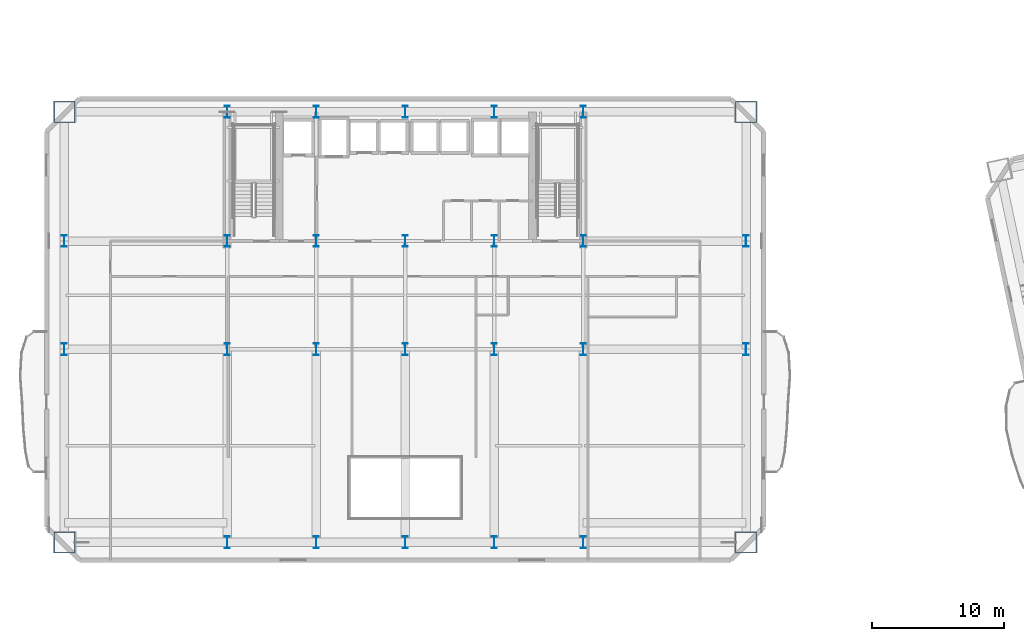
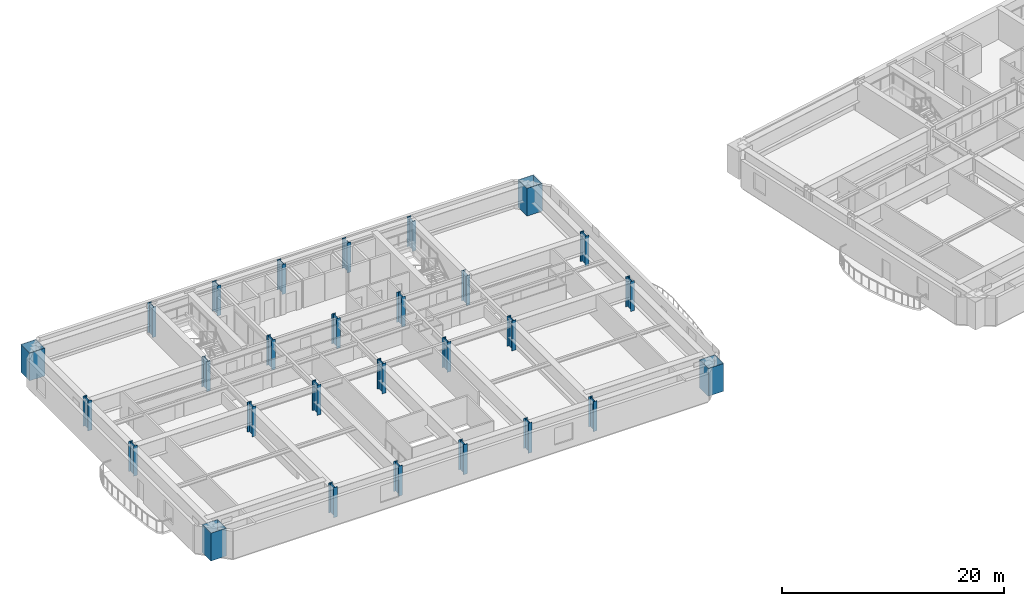
# One storey, part 1 of 18: 28 columns.
"""IFC4 building model written with IfcOpenShell, lengths in metres."""

from ifc_helpers import new_model, si_unit, direction, frame, origin, origin_2d, place, context, subcontext, project, spatial, hollow_rectangle, i_section, extrude, material, material_profile, profile_set, type_object, element, save


model = new_model("IFC4")

# Units and contexts
model_context = context("Model", 3, precision=1e-05, world=origin(), true_north=direction((0.0, 1.0)))
body_context = subcontext(model_context, "Body", "Model", "MODEL_VIEW")
ifc_project = project(units=[si_unit("LENGTHUNIT", "METRE"), si_unit("AREAUNIT", "SQUARE_METRE"), si_unit("VOLUMEUNIT", "CUBIC_METRE"), si_unit("PLANEANGLEUNIT", "RADIAN"), si_unit("MASSUNIT", "GRAM", prefix="KILO")], contexts=[model_context])

# Site, building, storey
site_placement = place(None, origin())
site = spatial("IfcSite", under=ifc_project, at=site_placement, CompositionType="ELEMENT")
building_placement = place(site_placement, origin())
building = spatial("IfcBuilding", under=site, at=building_placement, Name="Haevon Station Towers", CompositionType="ELEMENT")
storey_placement = place(building_placement, frame((0.0, 0.0, 47.10009765625)))
storey = spatial("IfcBuildingStorey", under=building, at=storey_placement, Name="L11", CompositionType="ELEMENT", Elevation=47.10009765625)

# Columns
ifc_material = material(Name="Steel S460", Category="steel")
ifc_material_profile_1 = material_profile(ifc_material, hollow_rectangle(XDim=1.60009765625, YDim=1.60009765625, WallThickness=0.0400390625, at=origin_2d()), Name="BOX-1600x1600x40")
ifc_profile_set_1 = profile_set([ifc_material_profile_1], Name="Steel S460")
column_type_1 = type_object("IfcColumnType", Name="COL-MC1", PredefinedType="COLUMN", material=ifc_profile_set_1)
for number, where, z_axis, x_axis, name in (
    (1, (11.64990234375, 15.35009765625, 0.0), (0.0, 0.0, 1.0), (1.0, 0.0, 0.0), "COL-T1-L11-01-01"),
    (2, (11.64990234375, 48.0, 0.0), (0.0, 0.0, 1.0), (1.0, 0.0, 0.0), "COL-T1-L11-01-04"),
    (3, (63.35009765625, 15.35009765625, 0.0), (0.0, 0.0, 1.0), (1.0, 0.0, 0.0), "COL-T1-L11-07-01"),
    (4, (63.35009765625, 48.0, 0.0), (0.0, 0.0, 1.0), (1.0, 0.0, 0.0), "COL-T1-L11-07-04"),
):
    element("IfcColumn", number, at=place(storey_placement, frame(where, z_axis=z_axis, x_axis=x_axis)), inside=storey, type_object=column_type_1, Name=name, PredefinedType="COLUMN", context=body_context, shape_type="SweptSolid", body=[
        extrude(hollow_rectangle(XDim=1.60009765625, YDim=1.60009765625, WallThickness=0.0400390625, at=origin_2d()), origin(), (0.0, 0.0, 1.0), 3.0498046875),
    ])
ifc_material_profile_2 = material_profile(ifc_material, i_section(OverallWidth=0.39990234375, OverallDepth=0.89990234375, WebThickness=0.02001953125, FlangeThickness=0.035888671875, at=origin_2d()), Name="H-900x400x20x36")
ifc_profile_set_2 = profile_set([ifc_material_profile_2], Name="Steel S460")
column_type_2 = type_object("IfcColumnType", Name="COL-TW1", PredefinedType="COLUMN", material=ifc_profile_set_2)
for number, where, z_axis, x_axis, name in (
    (5, (11.64990234375, 30.0, 0.0), (0.0, 0.0, 1.0), (1.0, 0.0, 0.0), "COL-T1-L11-01-02"),
    (6, (11.64990234375, 38.199951171875, 0.0), (0.0, 0.0, 1.0), (1.0, 0.0, 0.0), "COL-T1-L11-01-03"),
    (7, (24.0, 15.35009765625, 0.0), (0.0, 0.0, 1.0), (1.0, 0.0, 0.0), "COL-T1-L11-02-01"),
    (8, (24.0, 30.0, 0.0), (0.0, 0.0, 1.0), (1.0, 0.0, 0.0), "COL-T1-L11-02-02"),
    (9, (24.0, 38.199951171875, 0.0), (0.0, 0.0, 1.0), (1.0, 0.0, 0.0), "COL-T1-L11-02-03"),
    (10, (24.0, 48.0, 0.0), (0.0, 0.0, 1.0), (1.0, 0.0, 0.0), "COL-T1-L11-02-04"),
    (11, (30.75, 15.35009765625, 0.0), (0.0, 0.0, 1.0), (1.0, 0.0, 0.0), "COL-T1-L11-03-01"),
    (12, (30.75, 30.0, 0.0), (0.0, 0.0, 1.0), (1.0, 0.0, 0.0), "COL-T1-L11-03-02"),
    (13, (30.75, 38.199951171875, 0.0), (0.0, 0.0, 1.0), (1.0, 0.0, 0.0), "COL-T1-L11-03-03"),
    (14, (30.75, 48.0, 0.0), (0.0, 0.0, 1.0), (1.0, 0.0, 0.0), "COL-T1-L11-03-04"),
    (15, (37.5, 15.35009765625, 0.0), (0.0, 0.0, 1.0), (1.0, 0.0, 0.0), "COL-T1-L11-04-01"),
    (16, (37.5, 30.0, 0.0), (0.0, 0.0, 1.0), (1.0, 0.0, 0.0), "COL-T1-L11-04-02"),
    (17, (37.5, 38.199951171875, 0.0), (0.0, 0.0, 1.0), (1.0, 0.0, 0.0), "COL-T1-L11-04-03"),
    (18, (37.5, 48.0, 0.0), (0.0, 0.0, 1.0), (1.0, 0.0, 0.0), "COL-T1-L11-04-04"),
    (19, (44.25, 15.35009765625, 0.0), (0.0, 0.0, 1.0), (1.0, 0.0, 0.0), "COL-T1-L11-05-01"),
    (20, (44.25, 30.0, 0.0), (0.0, 0.0, 1.0), (1.0, 0.0, 0.0), "COL-T1-L11-05-02"),
    (21, (44.25, 38.199951171875, 0.0), (0.0, 0.0, 1.0), (1.0, 0.0, 0.0), "COL-T1-L11-05-03"),
    (22, (44.25, 48.0, 0.0), (0.0, 0.0, 1.0), (1.0, 0.0, 0.0), "COL-T1-L11-05-04"),
    (23, (51.0, 15.35009765625, 0.0), (0.0, 0.0, 1.0), (1.0, 0.0, 0.0), "COL-T1-L11-06-01"),
    (24, (51.0, 30.0, 0.0), (0.0, 0.0, 1.0), (1.0, 0.0, 0.0), "COL-T1-L11-06-02"),
    (25, (51.0, 38.199951171875, 0.0), (0.0, 0.0, 1.0), (1.0, 0.0, 0.0), "COL-T1-L11-06-03"),
    (26, (51.0, 48.0, 0.0), (0.0, 0.0, 1.0), (1.0, 0.0, 0.0), "COL-T1-L11-06-04"),
    (27, (63.35009765625, 30.0, 0.0), (0.0, 0.0, 1.0), (1.0, 0.0, 0.0), "COL-T1-L11-07-02"),
    (28, (63.35009765625, 38.199951171875, 0.0), (0.0, 0.0, 1.0), (1.0, 0.0, 0.0), "COL-T1-L11-07-03"),
):
    element("IfcColumn", number, at=place(storey_placement, frame(where, z_axis=z_axis, x_axis=x_axis)), inside=storey, type_object=column_type_2, Name=name, PredefinedType="COLUMN", context=body_context, shape_type="SweptSolid", body=[
        extrude(i_section(OverallWidth=0.39990234375, OverallDepth=0.89990234375, WebThickness=0.02001953125, FlangeThickness=0.035888671875, at=origin_2d()), origin(), (0.0, 0.0, 1.0), 3.2998046875),
    ])

save(model, "model.ifc")
